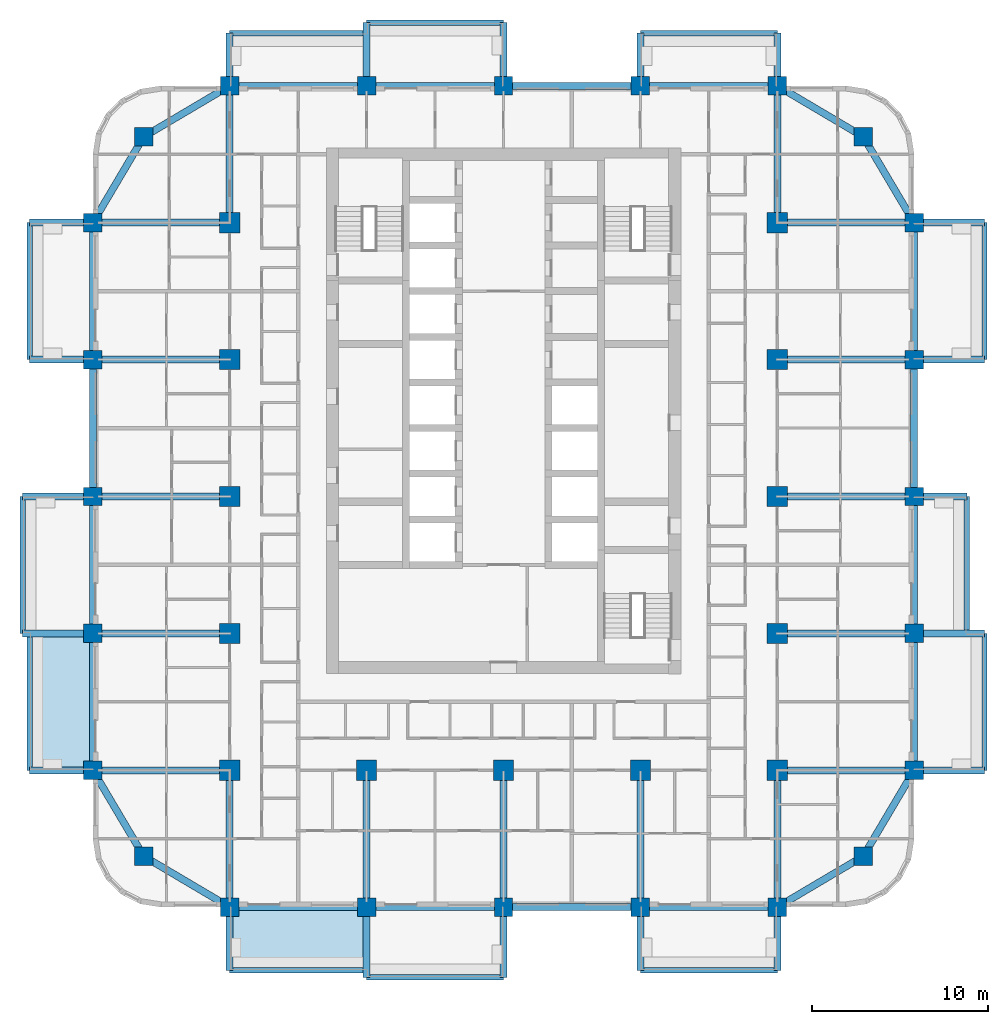
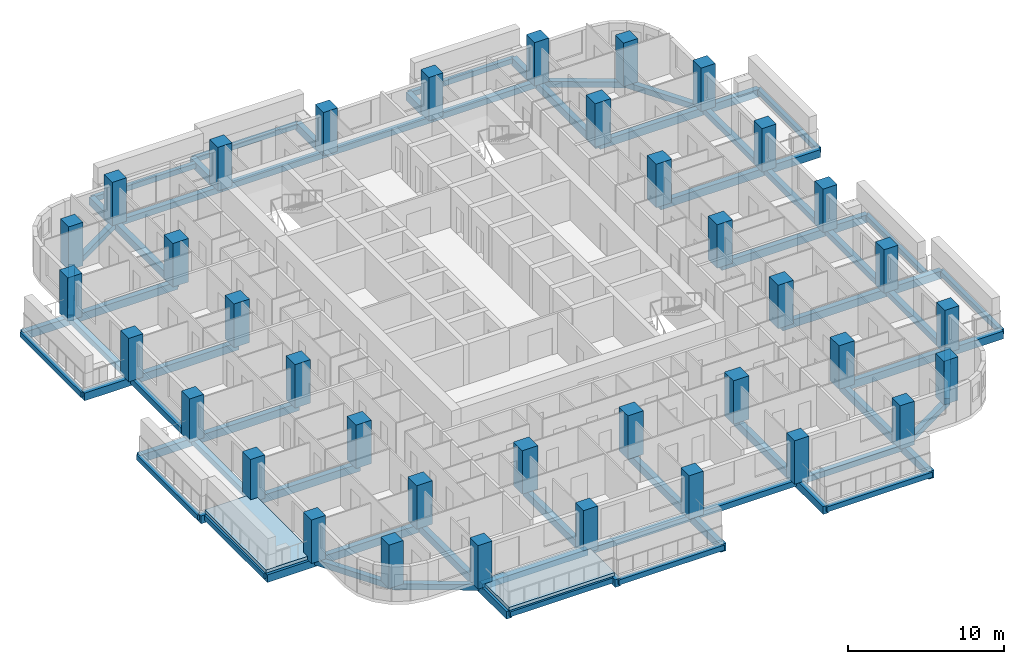
# One storey, part 1 of 17: 73 beams, 37 columns, 2 slabs.
"""IFC4 building model written with IfcOpenShell, lengths in metres."""

from ifc_helpers import new_model, si_unit, direction, frame, origin, origin_2d, place, context, subcontext, project, spatial, polyline, rectangle, outline, extrude, material, layer, layer_set, material_profile, profile_set, type_object, element, save


model = new_model("IFC4")

# Units and contexts
model_context = context("Model", 3, precision=1e-05, world=origin(), true_north=direction((0.0, 1.0)))
body_context = subcontext(model_context, "Body", "Model", "MODEL_VIEW")
ifc_project = project(units=[si_unit("LENGTHUNIT", "METRE"), si_unit("AREAUNIT", "SQUARE_METRE"), si_unit("VOLUMEUNIT", "CUBIC_METRE"), si_unit("PLANEANGLEUNIT", "RADIAN"), si_unit("MASSUNIT", "GRAM", prefix="KILO")], contexts=[model_context])

# Site, building, storey
site_placement = place(None, origin())
site = spatial("IfcSite", under=ifc_project, at=site_placement, CompositionType="ELEMENT")
building_placement = place(site_placement, origin())
building = spatial("IfcBuilding", under=site, at=building_placement, Name="Ludao Terraces", CompositionType="ELEMENT")
storey_placement = place(building_placement, frame((0.0, 0.0, 22.89990234375)))
storey = spatial("IfcBuildingStorey", under=building, at=storey_placement, Name="L05", CompositionType="ELEMENT", Elevation=22.89990234375)

# Columns
ifc_material_1 = material(Name="Concrete C60", Category="concrete")
ifc_material_profile_1 = material_profile(ifc_material_1, rectangle(XDim=1.050048828125, YDim=1.050048828125, at=origin_2d()), Name="1050 X 1050")
ifc_profile_set_1 = profile_set([ifc_material_profile_1], Name="Concrete C60")
column_type_1 = type_object("IfcColumnType", Name="RC column 1050x1050 C60", PredefinedType="COLUMN", material=ifc_profile_set_1)
for number, where, z_axis, x_axis, name in (
    (1, (64.5, 44.5, -0.25), (0.0, 0.0, 1.0), (1.0, 0.0, 0.0), "Column L05 C0029x0029"),
    (2, (105.5, 44.5, -0.25), (0.0, 0.0, 1.0), (1.0, 0.0, 0.0), "Column L05 C0439x0029"),
    (3, (64.5, 85.5, -0.25), (0.0, 0.0, 1.0), (1.0, 0.0, 0.0), "Column L05 C0029x0439"),
    (4, (105.5, 85.5, -0.25), (0.0, 0.0, 1.0), (1.0, 0.0, 0.0), "Column L05 C0439x0439"),
    (5, (61.60009765625, 49.39990234375, -0.25), (0.0, 0.0, 1.0), (1.0, 0.0, 0.0), "Column L05 F0000x0078"),
    (6, (108.39990234375, 49.39990234375, -0.25), (0.0, 0.0, 1.0), (1.0, 0.0, 0.0), "Column L05 F0468x0078"),
    (7, (69.39990234375, 41.60009765625, -0.25), (0.0, 0.0, 1.0), (1.0, 0.0, 0.0), "Column L05 F0078x0000"),
    (8, (69.39990234375, 88.39990234375, -0.25), (0.0, 0.0, 1.0), (1.0, 0.0, 0.0), "Column L05 F0078x0468"),
    (9, (61.60009765625, 57.199951171875, -0.25), (0.0, 0.0, 1.0), (1.0, 0.0, 0.0), "Column L05 F0000x0156"),
    (10, (108.39990234375, 57.199951171875, -0.25), (0.0, 0.0, 1.0), (1.0, 0.0, 0.0), "Column L05 F0468x0156"),
    (11, (77.199951171875, 41.60009765625, -0.25), (0.0, 0.0, 1.0), (1.0, 0.0, 0.0), "Column L05 F0156x0000"),
    (12, (77.199951171875, 88.39990234375, -0.25), (0.0, 0.0, 1.0), (1.0, 0.0, 0.0), "Column L05 F0156x0468"),
    (13, (61.60009765625, 65.0, -0.25), (0.0, 0.0, 1.0), (1.0, 0.0, 0.0), "Column L05 F0000x0234"),
    (14, (108.39990234375, 65.0, -0.25), (0.0, 0.0, 1.0), (1.0, 0.0, 0.0), "Column L05 F0468x0234"),
    (15, (85.0, 41.60009765625, -0.25), (0.0, 0.0, 1.0), (1.0, 0.0, 0.0), "Column L05 F0234x0000"),
    (16, (85.0, 88.39990234375, -0.25), (0.0, 0.0, 1.0), (1.0, 0.0, 0.0), "Column L05 F0234x0468"),
    (17, (61.60009765625, 72.800048828125, -0.25), (0.0, 0.0, 1.0), (1.0, 0.0, 0.0), "Column L05 F0000x0312"),
    (18, (108.39990234375, 72.800048828125, -0.25), (0.0, 0.0, 1.0), (1.0, 0.0, 0.0), "Column L05 F0468x0312"),
    (19, (92.800048828125, 41.60009765625, -0.25), (0.0, 0.0, 1.0), (1.0, 0.0, 0.0), "Column L05 F0312x0000"),
    (20, (92.800048828125, 88.39990234375, -0.25), (0.0, 0.0, 1.0), (1.0, 0.0, 0.0), "Column L05 F0312x0468"),
    (21, (61.60009765625, 80.60009765625, -0.25), (0.0, 0.0, 1.0), (1.0, 0.0, 0.0), "Column L05 F0000x0390"),
    (22, (108.39990234375, 80.60009765625, -0.25), (0.0, 0.0, 1.0), (1.0, 0.0, 0.0), "Column L05 F0468x0390"),
    (23, (100.60009765625, 41.60009765625, -0.25), (0.0, 0.0, 1.0), (1.0, 0.0, 0.0), "Column L05 F0390x0000"),
    (24, (100.60009765625, 88.39990234375, -0.25), (0.0, 0.0, 1.0), (1.0, 0.0, 0.0), "Column L05 F0390x0468"),
):
    element("IfcColumn", number, at=place(storey_placement, frame(where, z_axis=z_axis, x_axis=x_axis)), inside=storey, type_object=column_type_1, Name=name, PredefinedType="COLUMN", context=body_context, shape_type="SweptSolid", body=[
        extrude(rectangle(XDim=1.050048828125, YDim=1.050048828125, at=origin_2d()), origin(), (0.0, 0.0, 1.0), 3.400146484375),
    ])
ifc_material_profile_2 = material_profile(ifc_material_1, rectangle(XDim=1.14990234375, YDim=1.14990234375, at=origin_2d()), Name="1150 X 1150")
ifc_profile_set_2 = profile_set([ifc_material_profile_2], Name="Concrete C60")
column_type_2 = type_object("IfcColumnType", Name="RC column 1150x1150 C60", PredefinedType="COLUMN", material=ifc_profile_set_2)
for number, where, z_axis, x_axis, name in (
    (25, (69.39990234375, 49.39990234375, -0.25), (0.0, 0.0, 1.0), (1.0, 0.0, 0.0), "Column L05 S0078x0078"),
    (26, (69.39990234375, 57.199951171875, -0.25), (0.0, 0.0, 1.0), (1.0, 0.0, 0.0), "Column L05 S0078x0156"),
    (27, (69.39990234375, 65.0, -0.25), (0.0, 0.0, 1.0), (1.0, 0.0, 0.0), "Column L05 S0078x0234"),
    (28, (69.39990234375, 72.800048828125, -0.25), (0.0, 0.0, 1.0), (1.0, 0.0, 0.0), "Column L05 S0078x0312"),
    (29, (69.39990234375, 80.60009765625, -0.25), (0.0, 0.0, 1.0), (1.0, 0.0, 0.0), "Column L05 S0078x0390"),
    (30, (77.199951171875, 49.39990234375, -0.25), (0.0, 0.0, 1.0), (1.0, 0.0, 0.0), "Column L05 S0156x0078"),
    (31, (85.0, 49.39990234375, -0.25), (0.0, 0.0, 1.0), (1.0, 0.0, 0.0), "Column L05 S0234x0078"),
    (32, (92.800048828125, 49.39990234375, -0.25), (0.0, 0.0, 1.0), (1.0, 0.0, 0.0), "Column L05 S0312x0078"),
    (33, (100.60009765625, 49.39990234375, -0.25), (0.0, 0.0, 1.0), (1.0, 0.0, 0.0), "Column L05 S0390x0078"),
    (34, (100.60009765625, 57.199951171875, -0.25), (0.0, 0.0, 1.0), (1.0, 0.0, 0.0), "Column L05 S0390x0156"),
    (35, (100.60009765625, 65.0, -0.25), (0.0, 0.0, 1.0), (1.0, 0.0, 0.0), "Column L05 S0390x0234"),
    (36, (100.60009765625, 72.800048828125, -0.25), (0.0, 0.0, 1.0), (1.0, 0.0, 0.0), "Column L05 S0390x0312"),
    (37, (100.60009765625, 80.60009765625, -0.25), (0.0, 0.0, 1.0), (1.0, 0.0, 0.0), "Column L05 S0390x0390"),
):
    element("IfcColumn", number, at=place(storey_placement, frame(where, z_axis=z_axis, x_axis=x_axis)), inside=storey, type_object=column_type_2, Name=name, PredefinedType="COLUMN", context=body_context, shape_type="SweptSolid", body=[
        extrude(rectangle(XDim=1.14990234375, YDim=1.14990234375, at=origin_2d()), origin(), (0.0, 0.0, 1.0), 3.400146484375),
    ])

# Beams
ifc_material_2 = material(Name="Concrete C40", Category="concrete")
ifc_material_profile_3 = material_profile(ifc_material_2, rectangle(XDim=0.300048828125, YDim=0.39990234375, at=origin_2d()), Name="300 X 400")
ifc_profile_set_3 = profile_set([ifc_material_profile_3], Name="Concrete C40")
beam_type_1 = type_object("IfcBeamType", Name="RC beam 300x400 C40", PredefinedType="BEAM", material=ifc_profile_set_3)
for number, where, z_axis, x_axis, name in (
    (38, (69.39990234375, 38.0, -0.449951171875), (1.0, 0.0, 0.0), (0.0, 1.0, 0.0), "Balcony edge beam L05 S1"),
    (39, (77.199951171875, 37.60009765625, -0.449951171875), (1.0, 0.0, 0.0), (0.0, 1.0, 0.0), "Balcony edge beam L05 S2"),
    (40, (92.800048828125, 38.0, -0.449951171875), (1.0, 0.0, 0.0), (0.0, 1.0, 0.0), "Balcony edge beam L05 S4"),
    (41, (112.39990234375, 49.39990234375, -0.449951171875), (0.0, 1.0, 0.0), (-1.0, 0.0, 0.0), "Balcony edge beam L05 E1"),
    (42, (111.39990234375, 57.199951171875, -0.449951171875), (0.0, 1.0, 0.0), (-1.0, 0.0, 0.0), "Balcony edge beam L05 E2"),
    (43, (112.39990234375, 72.800048828125, -0.449951171875), (0.0, 1.0, 0.0), (-1.0, 0.0, 0.0), "Balcony edge beam L05 E4"),
    (44, (69.39990234375, 91.39990234375, -0.449951171875), (1.0, 0.0, 0.0), (0.0, 1.0, 0.0), "Balcony edge beam L05 N1"),
    (45, (77.199951171875, 92.0, -0.449951171875), (1.0, 0.0, 0.0), (0.0, 1.0, 0.0), "Balcony edge beam L05 N2"),
    (46, (92.800048828125, 91.39990234375, -0.449951171875), (1.0, 0.0, 0.0), (0.0, 1.0, 0.0), "Balcony edge beam L05 N4"),
    (47, (58.0, 49.39990234375, -0.449951171875), (0.0, 1.0, 0.0), (-1.0, 0.0, 0.0), "Balcony edge beam L05 W1"),
    (48, (57.60009765625, 57.199951171875, -0.449951171875), (0.0, 1.0, 0.0), (-1.0, 0.0, 0.0), "Balcony edge beam L05 W2"),
    (49, (58.0, 72.800048828125, -0.449951171875), (0.0, 1.0, 0.0), (-1.0, 0.0, 0.0), "Balcony edge beam L05 W4"),
):
    element("IfcBeam", number, at=place(storey_placement, frame(where, z_axis=z_axis, x_axis=x_axis)), inside=storey, type_object=beam_type_1, Name=name, PredefinedType="BEAM", context=body_context, shape_type="SweptSolid", body=[
        extrude(rectangle(XDim=0.300048828125, YDim=0.39990234375, at=origin_2d()), origin(), (0.0, 0.0, 1.0), 7.800048828125),
    ])
ifc_material_profile_4 = material_profile(ifc_material_2, rectangle(XDim=0.39990234375, YDim=0.449951171875, at=origin_2d()), Name="400 X 450")
ifc_profile_set_4 = profile_set([ifc_material_profile_4], Name="Concrete C40")
beam_type_2 = type_object("IfcBeamType", Name="RC beam 400x450 C40", PredefinedType="BEAM", material=ifc_profile_set_4)
beam_1_placement = place(storey_placement, frame((64.5, 44.5, -0.474853515625), z_axis=(0.860579751256, -0.509315709288, 0.0), x_axis=(0.509315709288, 0.860579751256, 0.0)))
element("IfcBeam", 50, at=beam_1_placement, inside=storey, type_object=beam_type_2, Name="Spandrel beam L05 S1", PredefinedType="BEAM", context=body_context, shape_type="SweptSolid", body=[
    extrude(rectangle(XDim=0.39990234375, YDim=0.449951171875, at=origin_2d()), origin(), (0.0, 0.0, 1.0), 5.693603515625),
])
for number, where, z_axis, x_axis, name in (
    (51, (69.39990234375, 41.60009765625, -0.474853515625), (1.0, 0.0, 0.0), (0.0, 1.0, 0.0), "Spandrel beam L05 S2"),
    (52, (77.199951171875, 41.60009765625, -0.474853515625), (1.0, 0.0, 0.0), (0.0, 1.0, 0.0), "Spandrel beam L05 S3"),
    (53, (85.0, 41.60009765625, -0.474853515625), (1.0, 0.0, 0.0), (0.0, 1.0, 0.0), "Spandrel beam L05 S4"),
    (54, (92.800048828125, 41.60009765625, -0.474853515625), (1.0, 0.0, 0.0), (0.0, 1.0, 0.0), "Spandrel beam L05 S5"),
):
    element("IfcBeam", number, at=place(storey_placement, frame(where, z_axis=z_axis, x_axis=x_axis)), inside=storey, type_object=beam_type_2, Name=name, PredefinedType="BEAM", context=body_context, shape_type="SweptSolid", body=[
        extrude(rectangle(XDim=0.39990234375, YDim=0.449951171875, at=origin_2d()), origin(), (0.0, 0.0, 1.0), 7.800048828125),
    ])
for number, where, z_axis, x_axis, name in (
    (55, (100.60009765625, 41.60009765625, -0.474853515625), (0.860579751256, 0.509315709288, 0.0), (-0.509315709288, 0.860579751256, 0.0), "Spandrel beam L05 S6"),
    (56, (64.5, 85.5, -0.474853515625), (0.860579751256, 0.509315709288, 0.0), (-0.509315709288, 0.860579751256, 0.0), "Spandrel beam L05 N7"),
):
    element("IfcBeam", number, at=place(storey_placement, frame(where, z_axis=z_axis, x_axis=x_axis)), inside=storey, type_object=beam_type_2, Name=name, PredefinedType="BEAM", context=body_context, shape_type="SweptSolid", body=[
        extrude(rectangle(XDim=0.39990234375, YDim=0.449951171875, at=origin_2d()), origin(), (0.0, 0.0, 1.0), 5.693603515625),
    ])
for number, where, z_axis, x_axis, name in (
    (57, (69.39990234375, 88.39990234375, -0.474853515625), (1.0, 0.0, 0.0), (0.0, 1.0, 0.0), "Spandrel beam L05 N8"),
    (58, (77.199951171875, 88.39990234375, -0.474853515625), (1.0, 0.0, 0.0), (0.0, 1.0, 0.0), "Spandrel beam L05 N9"),
    (59, (85.0, 88.39990234375, -0.474853515625), (1.0, 0.0, 0.0), (0.0, 1.0, 0.0), "Spandrel beam L05 N10"),
    (60, (92.800048828125, 88.39990234375, -0.474853515625), (1.0, 0.0, 0.0), (0.0, 1.0, 0.0), "Spandrel beam L05 N11"),
):
    element("IfcBeam", number, at=place(storey_placement, frame(where, z_axis=z_axis, x_axis=x_axis)), inside=storey, type_object=beam_type_2, Name=name, PredefinedType="BEAM", context=body_context, shape_type="SweptSolid", body=[
        extrude(rectangle(XDim=0.39990234375, YDim=0.449951171875, at=origin_2d()), origin(), (0.0, 0.0, 1.0), 7.800048828125),
    ])
for number, where, z_axis, x_axis, name in (
    (61, (100.60009765625, 88.39990234375, -0.474853515625), (0.860579751256, -0.509315709288, 0.0), (0.509315709288, 0.860579751256, 0.0), "Spandrel beam L05 N12"),
    (62, (64.5, 44.5, -0.474853515625), (-0.509315709288, 0.860579751256, 0.0), (-0.860579751256, -0.509315709288, 0.0), "Spandrel beam L05 W13"),
):
    element("IfcBeam", number, at=place(storey_placement, frame(where, z_axis=z_axis, x_axis=x_axis)), inside=storey, type_object=beam_type_2, Name=name, PredefinedType="BEAM", context=body_context, shape_type="SweptSolid", body=[
        extrude(rectangle(XDim=0.39990234375, YDim=0.449951171875, at=origin_2d()), origin(), (0.0, 0.0, 1.0), 5.693603515625),
    ])
for number, where, z_axis, x_axis, name in (
    (63, (61.60009765625, 49.39990234375, -0.474853515625), (0.0, 1.0, 0.0), (-1.0, 0.0, 0.0), "Spandrel beam L05 W14"),
    (64, (61.60009765625, 57.199951171875, -0.474853515625), (0.0, 1.0, 0.0), (-1.0, 0.0, 0.0), "Spandrel beam L05 W15"),
    (65, (61.60009765625, 65.0, -0.474853515625), (0.0, 1.0, 0.0), (-1.0, 0.0, 0.0), "Spandrel beam L05 W16"),
    (66, (61.60009765625, 72.800048828125, -0.474853515625), (0.0, 1.0, 0.0), (-1.0, 0.0, 0.0), "Spandrel beam L05 W17"),
):
    element("IfcBeam", number, at=place(storey_placement, frame(where, z_axis=z_axis, x_axis=x_axis)), inside=storey, type_object=beam_type_2, Name=name, PredefinedType="BEAM", context=body_context, shape_type="SweptSolid", body=[
        extrude(rectangle(XDim=0.39990234375, YDim=0.449951171875, at=origin_2d()), origin(), (0.0, 0.0, 1.0), 7.800048828125),
    ])
for number, where, z_axis, x_axis, name in (
    (67, (61.60009765625, 80.60009765625, -0.474853515625), (0.509315709288, 0.860579751256, 0.0), (-0.860579751256, 0.509315709288, 0.0), "Spandrel beam L05 W18"),
    (68, (105.5, 44.5, -0.474853515625), (0.509315709288, 0.860579751256, 0.0), (-0.860579751256, 0.509315709288, 0.0), "Spandrel beam L05 E19"),
):
    element("IfcBeam", number, at=place(storey_placement, frame(where, z_axis=z_axis, x_axis=x_axis)), inside=storey, type_object=beam_type_2, Name=name, PredefinedType="BEAM", context=body_context, shape_type="SweptSolid", body=[
        extrude(rectangle(XDim=0.39990234375, YDim=0.449951171875, at=origin_2d()), origin(), (0.0, 0.0, 1.0), 5.693603515625),
    ])
for number, where, z_axis, x_axis, name in (
    (69, (108.39990234375, 49.39990234375, -0.474853515625), (0.0, 1.0, 0.0), (-1.0, 0.0, 0.0), "Spandrel beam L05 E20"),
    (70, (108.39990234375, 57.199951171875, -0.474853515625), (0.0, 1.0, 0.0), (-1.0, 0.0, 0.0), "Spandrel beam L05 E21"),
    (71, (108.39990234375, 65.0, -0.474853515625), (0.0, 1.0, 0.0), (-1.0, 0.0, 0.0), "Spandrel beam L05 E22"),
    (72, (108.39990234375, 72.800048828125, -0.474853515625), (0.0, 1.0, 0.0), (-1.0, 0.0, 0.0), "Spandrel beam L05 E23"),
):
    element("IfcBeam", number, at=place(storey_placement, frame(where, z_axis=z_axis, x_axis=x_axis)), inside=storey, type_object=beam_type_2, Name=name, PredefinedType="BEAM", context=body_context, shape_type="SweptSolid", body=[
        extrude(rectangle(XDim=0.39990234375, YDim=0.449951171875, at=origin_2d()), origin(), (0.0, 0.0, 1.0), 7.800048828125),
    ])
beam_2_placement = place(storey_placement, frame((108.39990234375, 80.60009765625, -0.474853515625), z_axis=(-0.509315709288, 0.860579751256, 0.0), x_axis=(-0.860579751256, -0.509315709288, 0.0)))
element("IfcBeam", 73, at=beam_2_placement, inside=storey, type_object=beam_type_2, Name="Spandrel beam L05 E24", PredefinedType="BEAM", context=body_context, shape_type="SweptSolid", body=[
    extrude(rectangle(XDim=0.39990234375, YDim=0.449951171875, at=origin_2d()), origin(), (0.0, 0.0, 1.0), 5.693603515625),
])
ifc_material_profile_5 = material_profile(ifc_material_2, rectangle(XDim=0.39990234375, YDim=0.60009765625, at=origin_2d()), Name="400 X 600")
ifc_profile_set_5 = profile_set([ifc_material_profile_5], Name="Concrete C40")
beam_type_3 = type_object("IfcBeamType", Name="RC beam 400x600 C40", PredefinedType="BEAM", material=ifc_profile_set_5)
beam_3_placement = place(storey_placement, frame((100.60009765625, 49.39990234375, -0.5498046875), z_axis=(1.0, 0.0, 0.0), x_axis=(0.0, 1.0, 0.0)))
element("IfcBeam", 74, at=beam_3_placement, inside=storey, type_object=beam_type_3, Name="Balcony beam L05 E494", PredefinedType="BEAM", context=body_context, shape_type="SweptSolid", body=[
    extrude(rectangle(XDim=0.39990234375, YDim=0.60009765625, at=origin_2d()), origin(), (0.0, 0.0, 1.0), 7.7998046875),
])
beam_4_placement = place(storey_placement, frame((108.39990234375, 49.39990234375, -0.5498046875), z_axis=(1.0, 0.0, 0.0), x_axis=(0.0, 1.0, 0.0)))
element("IfcBeam", 75, at=beam_4_placement, inside=storey, type_object=beam_type_3, Name="Balcony beam L05 E494", PredefinedType="BEAM", context=body_context, shape_type="SweptSolid", body=[
    extrude(rectangle(XDim=0.39990234375, YDim=0.60009765625, at=origin_2d()), origin(), (0.0, 0.0, 1.0), 4.0),
])
beam_5_placement = place(storey_placement, frame((100.60009765625, 57.199951171875, -0.5498046875), z_axis=(1.0, 0.0, 0.0), x_axis=(0.0, 1.0, 0.0)))
element("IfcBeam", 76, at=beam_5_placement, inside=storey, type_object=beam_type_3, Name="Balcony beam L05 E572", PredefinedType="BEAM", context=body_context, shape_type="SweptSolid", body=[
    extrude(rectangle(XDim=0.39990234375, YDim=0.60009765625, at=origin_2d()), origin(), (0.0, 0.0, 1.0), 7.7998046875),
])
beam_6_placement = place(storey_placement, frame((108.39990234375, 57.199951171875, -0.5498046875), z_axis=(1.0, 0.0, 0.0), x_axis=(0.0, 1.0, 0.0)))
element("IfcBeam", 77, at=beam_6_placement, inside=storey, type_object=beam_type_3, Name="Balcony beam L05 E572", PredefinedType="BEAM", context=body_context, shape_type="SweptSolid", body=[
    extrude(rectangle(XDim=0.39990234375, YDim=0.60009765625, at=origin_2d()), origin(), (0.0, 0.0, 1.0), 4.0),
])
beam_7_placement = place(storey_placement, frame((100.60009765625, 65.0, -0.5498046875), z_axis=(1.0, 0.0, 0.0), x_axis=(0.0, 1.0, 0.0)))
element("IfcBeam", 78, at=beam_7_placement, inside=storey, type_object=beam_type_3, Name="Balcony beam L05 E650", PredefinedType="BEAM", context=body_context, shape_type="SweptSolid", body=[
    extrude(rectangle(XDim=0.39990234375, YDim=0.60009765625, at=origin_2d()), origin(), (0.0, 0.0, 1.0), 7.7998046875),
])
beam_8_placement = place(storey_placement, frame((108.39990234375, 65.0, -0.5498046875), z_axis=(1.0, 0.0, 0.0), x_axis=(0.0, 1.0, 0.0)))
element("IfcBeam", 79, at=beam_8_placement, inside=storey, type_object=beam_type_3, Name="Balcony beam L05 E650", PredefinedType="BEAM", context=body_context, shape_type="SweptSolid", body=[
    extrude(rectangle(XDim=0.39990234375, YDim=0.60009765625, at=origin_2d()), origin(), (0.0, 0.0, 1.0), 3.0),
])
beam_9_placement = place(storey_placement, frame((100.60009765625, 72.800048828125, -0.5498046875), z_axis=(1.0, 0.0, 0.0), x_axis=(0.0, 1.0, 0.0)))
element("IfcBeam", 80, at=beam_9_placement, inside=storey, type_object=beam_type_3, Name="Balcony beam L05 E728", PredefinedType="BEAM", context=body_context, shape_type="SweptSolid", body=[
    extrude(rectangle(XDim=0.39990234375, YDim=0.60009765625, at=origin_2d()), origin(), (0.0, 0.0, 1.0), 7.7998046875),
])
beam_10_placement = place(storey_placement, frame((108.39990234375, 72.800048828125, -0.5498046875), z_axis=(1.0, 0.0, 0.0), x_axis=(0.0, 1.0, 0.0)))
element("IfcBeam", 81, at=beam_10_placement, inside=storey, type_object=beam_type_3, Name="Balcony beam L05 E728", PredefinedType="BEAM", context=body_context, shape_type="SweptSolid", body=[
    extrude(rectangle(XDim=0.39990234375, YDim=0.60009765625, at=origin_2d()), origin(), (0.0, 0.0, 1.0), 4.0),
])
beam_11_placement = place(storey_placement, frame((100.60009765625, 80.60009765625, -0.5498046875), z_axis=(1.0, 0.0, 0.0), x_axis=(0.0, 1.0, 0.0)))
element("IfcBeam", 82, at=beam_11_placement, inside=storey, type_object=beam_type_3, Name="Balcony beam L05 E806", PredefinedType="BEAM", context=body_context, shape_type="SweptSolid", body=[
    extrude(rectangle(XDim=0.39990234375, YDim=0.60009765625, at=origin_2d()), origin(), (0.0, 0.0, 1.0), 7.7998046875),
])
beam_12_placement = place(storey_placement, frame((108.39990234375, 80.60009765625, -0.5498046875), z_axis=(1.0, 0.0, 0.0), x_axis=(0.0, 1.0, 0.0)))
element("IfcBeam", 83, at=beam_12_placement, inside=storey, type_object=beam_type_3, Name="Balcony beam L05 E806", PredefinedType="BEAM", context=body_context, shape_type="SweptSolid", body=[
    extrude(rectangle(XDim=0.39990234375, YDim=0.60009765625, at=origin_2d()), origin(), (0.0, 0.0, 1.0), 4.0),
])
beam_13_placement = place(storey_placement, frame((100.60009765625, 80.60009765625, -0.5498046875), z_axis=(0.0, 1.0, 0.0), x_axis=(-1.0, 0.0, 0.0)))
element("IfcBeam", 84, at=beam_13_placement, inside=storey, type_object=beam_type_3, Name="Balcony beam L05 N1006", PredefinedType="BEAM", context=body_context, shape_type="SweptSolid", body=[
    extrude(rectangle(XDim=0.39990234375, YDim=0.60009765625, at=origin_2d()), origin(), (0.0, 0.0, 1.0), 7.7998046875),
])
beam_14_placement = place(storey_placement, frame((100.60009765625, 88.39990234375, -0.5498046875), z_axis=(0.0, 1.0, 0.0), x_axis=(-1.0, 0.0, 0.0)))
element("IfcBeam", 85, at=beam_14_placement, inside=storey, type_object=beam_type_3, Name="Balcony beam L05 N1006", PredefinedType="BEAM", context=body_context, shape_type="SweptSolid", body=[
    extrude(rectangle(XDim=0.39990234375, YDim=0.60009765625, at=origin_2d()), origin(), (0.0, 0.0, 1.0), 3.0),
])
beam_15_placement = place(storey_placement, frame((69.39990234375, 80.60009765625, -0.5498046875), z_axis=(0.0, 1.0, 0.0), x_axis=(-1.0, 0.0, 0.0)))
element("IfcBeam", 86, at=beam_15_placement, inside=storey, type_object=beam_type_3, Name="Balcony beam L05 N694", PredefinedType="BEAM", context=body_context, shape_type="SweptSolid", body=[
    extrude(rectangle(XDim=0.39990234375, YDim=0.60009765625, at=origin_2d()), origin(), (0.0, 0.0, 1.0), 7.7998046875),
])
beam_16_placement = place(storey_placement, frame((69.39990234375, 88.39990234375, -0.5498046875), z_axis=(0.0, 1.0, 0.0), x_axis=(-1.0, 0.0, 0.0)))
element("IfcBeam", 87, at=beam_16_placement, inside=storey, type_object=beam_type_3, Name="Balcony beam L05 N694", PredefinedType="BEAM", context=body_context, shape_type="SweptSolid", body=[
    extrude(rectangle(XDim=0.39990234375, YDim=0.60009765625, at=origin_2d()), origin(), (0.0, 0.0, 1.0), 3.0),
])
for number, where, z_axis, x_axis, name in (
    (88, (77.199951171875, 88.39990234375, -0.5498046875), (0.0, 1.0, 0.0), (-1.0, 0.0, 0.0), "Balcony beam L05 N772"),
    (89, (85.0, 88.39990234375, -0.5498046875), (0.0, 1.0, 0.0), (-1.0, 0.0, 0.0), "Balcony beam L05 N850"),
):
    element("IfcBeam", number, at=place(storey_placement, frame(where, z_axis=z_axis, x_axis=x_axis)), inside=storey, type_object=beam_type_3, Name=name, PredefinedType="BEAM", context=body_context, shape_type="SweptSolid", body=[
        extrude(rectangle(XDim=0.39990234375, YDim=0.60009765625, at=origin_2d()), origin(), (0.0, 0.0, 1.0), 3.60009765625),
    ])
beam_17_placement = place(storey_placement, frame((92.800048828125, 88.39990234375, -0.5498046875), z_axis=(0.0, 1.0, 0.0), x_axis=(-1.0, 0.0, 0.0)))
element("IfcBeam", 90, at=beam_17_placement, inside=storey, type_object=beam_type_3, Name="Balcony beam L05 N928", PredefinedType="BEAM", context=body_context, shape_type="SweptSolid", body=[
    extrude(rectangle(XDim=0.39990234375, YDim=0.60009765625, at=origin_2d()), origin(), (0.0, 0.0, 1.0), 3.0),
])
beam_18_placement = place(storey_placement, frame((100.60009765625, 49.39990234375, -0.5498046875), z_axis=(0.0, -1.0, 0.0), x_axis=(1.0, 0.0, 0.0)))
element("IfcBeam", 91, at=beam_18_placement, inside=storey, type_object=beam_type_3, Name="Balcony beam L05 S1006", PredefinedType="BEAM", context=body_context, shape_type="SweptSolid", body=[
    extrude(rectangle(XDim=0.39990234375, YDim=0.60009765625, at=origin_2d()), origin(), (0.0, 0.0, 1.0), 7.7998046875),
])
beam_19_placement = place(storey_placement, frame((100.60009765625, 41.60009765625, -0.5498046875), z_axis=(0.0, -1.0, 0.0), x_axis=(1.0, 0.0, 0.0)))
element("IfcBeam", 92, at=beam_19_placement, inside=storey, type_object=beam_type_3, Name="Balcony beam L05 S1006", PredefinedType="BEAM", context=body_context, shape_type="SweptSolid", body=[
    extrude(rectangle(XDim=0.39990234375, YDim=0.60009765625, at=origin_2d()), origin(), (0.0, 0.0, 1.0), 3.60009765625),
])
beam_20_placement = place(storey_placement, frame((69.39990234375, 49.39990234375, -0.5498046875), z_axis=(0.0, -1.0, 0.0), x_axis=(1.0, 0.0, 0.0)))
element("IfcBeam", 93, at=beam_20_placement, inside=storey, type_object=beam_type_3, Name="Balcony beam L05 S694", PredefinedType="BEAM", context=body_context, shape_type="SweptSolid", body=[
    extrude(rectangle(XDim=0.39990234375, YDim=0.60009765625, at=origin_2d()), origin(), (0.0, 0.0, 1.0), 7.7998046875),
])
beam_21_placement = place(storey_placement, frame((69.39990234375, 41.60009765625, -0.5498046875), z_axis=(0.0, -1.0, 0.0), x_axis=(1.0, 0.0, 0.0)))
element("IfcBeam", 94, at=beam_21_placement, inside=storey, type_object=beam_type_3, Name="Balcony beam L05 S694", PredefinedType="BEAM", context=body_context, shape_type="SweptSolid", body=[
    extrude(rectangle(XDim=0.39990234375, YDim=0.60009765625, at=origin_2d()), origin(), (0.0, 0.0, 1.0), 3.60009765625),
])
beam_22_placement = place(storey_placement, frame((77.199951171875, 49.39990234375, -0.5498046875), z_axis=(0.0, -1.0, 0.0), x_axis=(1.0, 0.0, 0.0)))
element("IfcBeam", 95, at=beam_22_placement, inside=storey, type_object=beam_type_3, Name="Balcony beam L05 S772", PredefinedType="BEAM", context=body_context, shape_type="SweptSolid", body=[
    extrude(rectangle(XDim=0.39990234375, YDim=0.60009765625, at=origin_2d()), origin(), (0.0, 0.0, 1.0), 7.7998046875),
])
beam_23_placement = place(storey_placement, frame((77.199951171875, 41.60009765625, -0.5498046875), z_axis=(0.0, -1.0, 0.0), x_axis=(1.0, 0.0, 0.0)))
element("IfcBeam", 96, at=beam_23_placement, inside=storey, type_object=beam_type_3, Name="Balcony beam L05 S772", PredefinedType="BEAM", context=body_context, shape_type="SweptSolid", body=[
    extrude(rectangle(XDim=0.39990234375, YDim=0.60009765625, at=origin_2d()), origin(), (0.0, 0.0, 1.0), 4.0),
])
beam_24_placement = place(storey_placement, frame((85.0, 49.39990234375, -0.5498046875), z_axis=(0.0, -1.0, 0.0), x_axis=(1.0, 0.0, 0.0)))
element("IfcBeam", 97, at=beam_24_placement, inside=storey, type_object=beam_type_3, Name="Balcony beam L05 S850", PredefinedType="BEAM", context=body_context, shape_type="SweptSolid", body=[
    extrude(rectangle(XDim=0.39990234375, YDim=0.60009765625, at=origin_2d()), origin(), (0.0, 0.0, 1.0), 7.7998046875),
])
beam_25_placement = place(storey_placement, frame((85.0, 41.60009765625, -0.5498046875), z_axis=(0.0, -1.0, 0.0), x_axis=(1.0, 0.0, 0.0)))
element("IfcBeam", 98, at=beam_25_placement, inside=storey, type_object=beam_type_3, Name="Balcony beam L05 S850", PredefinedType="BEAM", context=body_context, shape_type="SweptSolid", body=[
    extrude(rectangle(XDim=0.39990234375, YDim=0.60009765625, at=origin_2d()), origin(), (0.0, 0.0, 1.0), 4.0),
])
beam_26_placement = place(storey_placement, frame((92.800048828125, 49.39990234375, -0.5498046875), z_axis=(0.0, -1.0, 0.0), x_axis=(1.0, 0.0, 0.0)))
element("IfcBeam", 99, at=beam_26_placement, inside=storey, type_object=beam_type_3, Name="Balcony beam L05 S928", PredefinedType="BEAM", context=body_context, shape_type="SweptSolid", body=[
    extrude(rectangle(XDim=0.39990234375, YDim=0.60009765625, at=origin_2d()), origin(), (0.0, 0.0, 1.0), 7.7998046875),
])
beam_27_placement = place(storey_placement, frame((92.800048828125, 41.60009765625, -0.5498046875), z_axis=(0.0, -1.0, 0.0), x_axis=(1.0, 0.0, 0.0)))
element("IfcBeam", 100, at=beam_27_placement, inside=storey, type_object=beam_type_3, Name="Balcony beam L05 S928", PredefinedType="BEAM", context=body_context, shape_type="SweptSolid", body=[
    extrude(rectangle(XDim=0.39990234375, YDim=0.60009765625, at=origin_2d()), origin(), (0.0, 0.0, 1.0), 3.60009765625),
])
beam_28_placement = place(storey_placement, frame((69.39990234375, 49.39990234375, -0.5498046875), z_axis=(-1.0, 0.0, 0.0), x_axis=(0.0, -1.0, 0.0)))
element("IfcBeam", 101, at=beam_28_placement, inside=storey, type_object=beam_type_3, Name="Balcony beam L05 W494", PredefinedType="BEAM", context=body_context, shape_type="SweptSolid", body=[
    extrude(rectangle(XDim=0.39990234375, YDim=0.60009765625, at=origin_2d()), origin(), (0.0, 0.0, 1.0), 7.7998046875),
])
beam_29_placement = place(storey_placement, frame((61.60009765625, 49.39990234375, -0.5498046875), z_axis=(-1.0, 0.0, 0.0), x_axis=(0.0, -1.0, 0.0)))
element("IfcBeam", 102, at=beam_29_placement, inside=storey, type_object=beam_type_3, Name="Balcony beam L05 W494", PredefinedType="BEAM", context=body_context, shape_type="SweptSolid", body=[
    extrude(rectangle(XDim=0.39990234375, YDim=0.60009765625, at=origin_2d()), origin(), (0.0, 0.0, 1.0), 3.60009765625),
])
beam_30_placement = place(storey_placement, frame((69.39990234375, 57.199951171875, -0.5498046875), z_axis=(-1.0, 0.0, 0.0), x_axis=(0.0, -1.0, 0.0)))
element("IfcBeam", 103, at=beam_30_placement, inside=storey, type_object=beam_type_3, Name="Balcony beam L05 W572", PredefinedType="BEAM", context=body_context, shape_type="SweptSolid", body=[
    extrude(rectangle(XDim=0.39990234375, YDim=0.60009765625, at=origin_2d()), origin(), (0.0, 0.0, 1.0), 7.7998046875),
])
beam_31_placement = place(storey_placement, frame((61.60009765625, 57.199951171875, -0.5498046875), z_axis=(-1.0, 0.0, 0.0), x_axis=(0.0, -1.0, 0.0)))
element("IfcBeam", 104, at=beam_31_placement, inside=storey, type_object=beam_type_3, Name="Balcony beam L05 W572", PredefinedType="BEAM", context=body_context, shape_type="SweptSolid", body=[
    extrude(rectangle(XDim=0.39990234375, YDim=0.60009765625, at=origin_2d()), origin(), (0.0, 0.0, 1.0), 4.0),
])
beam_32_placement = place(storey_placement, frame((69.39990234375, 65.0, -0.5498046875), z_axis=(-1.0, 0.0, 0.0), x_axis=(0.0, -1.0, 0.0)))
element("IfcBeam", 105, at=beam_32_placement, inside=storey, type_object=beam_type_3, Name="Balcony beam L05 W650", PredefinedType="BEAM", context=body_context, shape_type="SweptSolid", body=[
    extrude(rectangle(XDim=0.39990234375, YDim=0.60009765625, at=origin_2d()), origin(), (0.0, 0.0, 1.0), 7.7998046875),
])
beam_33_placement = place(storey_placement, frame((61.60009765625, 65.0, -0.5498046875), z_axis=(-1.0, 0.0, 0.0), x_axis=(0.0, -1.0, 0.0)))
element("IfcBeam", 106, at=beam_33_placement, inside=storey, type_object=beam_type_3, Name="Balcony beam L05 W650", PredefinedType="BEAM", context=body_context, shape_type="SweptSolid", body=[
    extrude(rectangle(XDim=0.39990234375, YDim=0.60009765625, at=origin_2d()), origin(), (0.0, 0.0, 1.0), 4.0),
])
beam_34_placement = place(storey_placement, frame((69.39990234375, 72.800048828125, -0.5498046875), z_axis=(-1.0, 0.0, 0.0), x_axis=(0.0, -1.0, 0.0)))
element("IfcBeam", 107, at=beam_34_placement, inside=storey, type_object=beam_type_3, Name="Balcony beam L05 W728", PredefinedType="BEAM", context=body_context, shape_type="SweptSolid", body=[
    extrude(rectangle(XDim=0.39990234375, YDim=0.60009765625, at=origin_2d()), origin(), (0.0, 0.0, 1.0), 7.7998046875),
])
beam_35_placement = place(storey_placement, frame((61.60009765625, 72.800048828125, -0.5498046875), z_axis=(-1.0, 0.0, 0.0), x_axis=(0.0, -1.0, 0.0)))
element("IfcBeam", 108, at=beam_35_placement, inside=storey, type_object=beam_type_3, Name="Balcony beam L05 W728", PredefinedType="BEAM", context=body_context, shape_type="SweptSolid", body=[
    extrude(rectangle(XDim=0.39990234375, YDim=0.60009765625, at=origin_2d()), origin(), (0.0, 0.0, 1.0), 3.60009765625),
])
beam_36_placement = place(storey_placement, frame((69.39990234375, 80.60009765625, -0.5498046875), z_axis=(-1.0, 0.0, 0.0), x_axis=(0.0, -1.0, 0.0)))
element("IfcBeam", 109, at=beam_36_placement, inside=storey, type_object=beam_type_3, Name="Balcony beam L05 W806", PredefinedType="BEAM", context=body_context, shape_type="SweptSolid", body=[
    extrude(rectangle(XDim=0.39990234375, YDim=0.60009765625, at=origin_2d()), origin(), (0.0, 0.0, 1.0), 7.7998046875),
])
beam_37_placement = place(storey_placement, frame((61.60009765625, 80.60009765625, -0.5498046875), z_axis=(-1.0, 0.0, 0.0), x_axis=(0.0, -1.0, 0.0)))
element("IfcBeam", 110, at=beam_37_placement, inside=storey, type_object=beam_type_3, Name="Balcony beam L05 W806", PredefinedType="BEAM", context=body_context, shape_type="SweptSolid", body=[
    extrude(rectangle(XDim=0.39990234375, YDim=0.60009765625, at=origin_2d()), origin(), (0.0, 0.0, 1.0), 3.60009765625),
])

# Slabs
ifc_layer = layer(ifc_material_2, 0.25)
ifc_layer_set = layer_set([ifc_layer], Name="Balcony slab 250 C40")
slab_type = type_object("IfcSlabType", Name="Balcony slab 250 C40", PredefinedType="USERDEFINED", material=ifc_layer_set)
slab_1_placement = place(storey_placement, frame((0.0, 0.0, -0.25)))
element("IfcSlab", 111, at=slab_1_placement, inside=storey, type_object=slab_type, Name="Balcony L05 S1", ObjectType="BALCONY", PredefinedType="USERDEFINED", context=body_context, shape_type="SweptSolid", body=[
    extrude(outline(polyline([(69.39990234375, 38.0), (77.199951171875, 38.0), (77.199951171875, 41.60009765625), (69.39990234375, 41.60009765625), (69.39990234375, 38.0)])), origin(), (0.0, 0.0, 1.0), 0.25),
])
slab_2_placement = place(storey_placement, frame((0.0, 0.0, -0.25)))
element("IfcSlab", 112, at=slab_2_placement, inside=storey, type_object=slab_type, Name="Balcony L05 W1", ObjectType="BALCONY", PredefinedType="USERDEFINED", context=body_context, shape_type="SweptSolid", body=[
    extrude(outline(polyline([(58.0, 49.39990234375), (61.60009765625, 49.39990234375), (61.60009765625, 57.199951171875), (58.0, 57.199951171875), (58.0, 49.39990234375)])), origin(), (0.0, 0.0, 1.0), 0.25),
])

save(model, "model.ifc")
